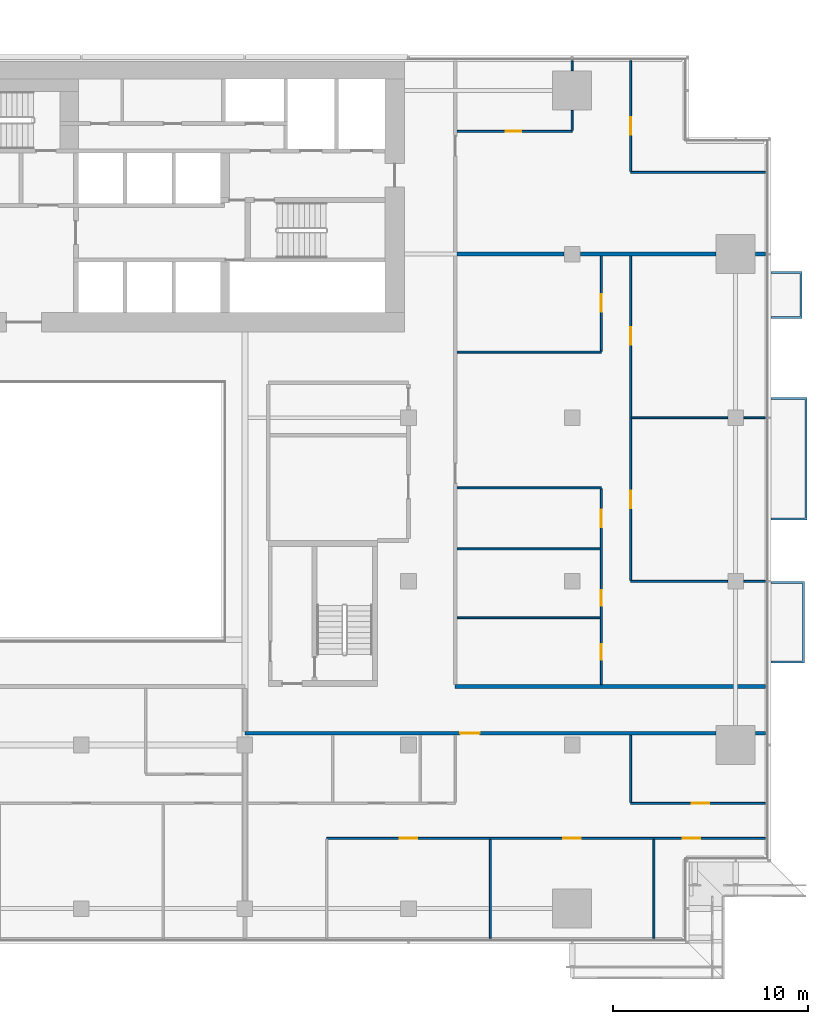
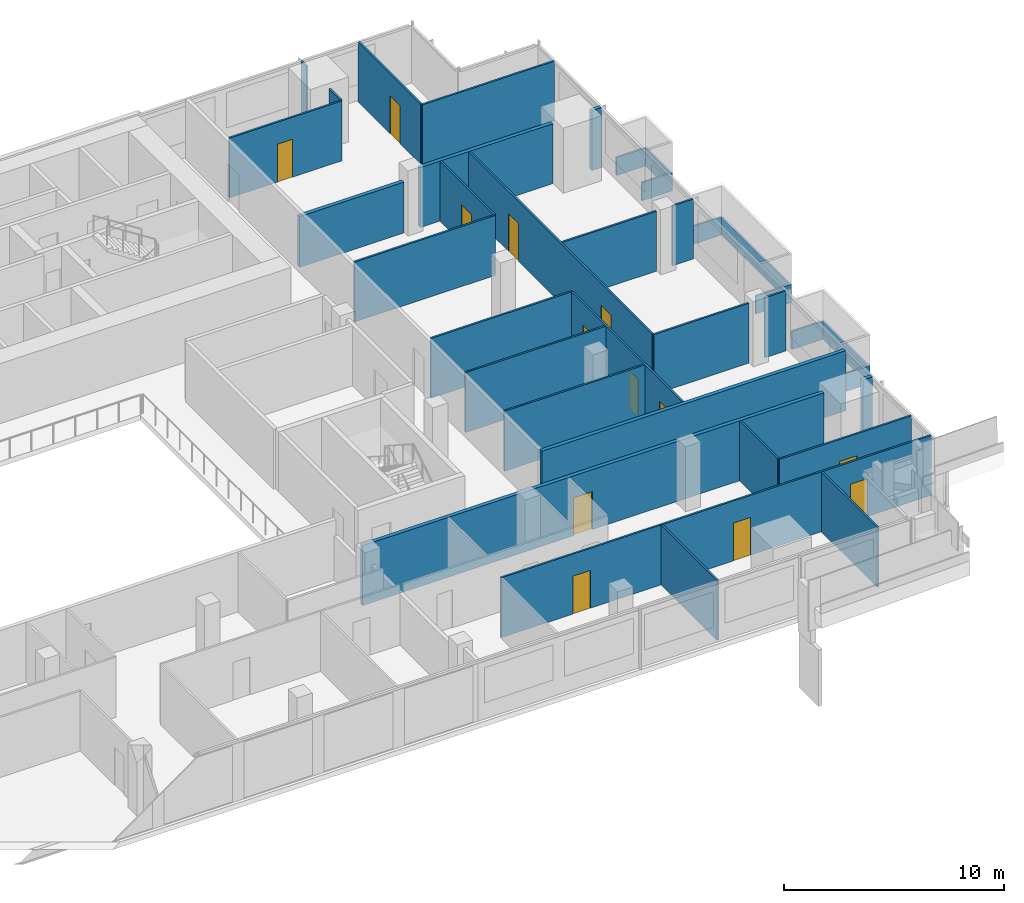
# One storey, part 23 of 29: 30 walls, 13 doors, 13 openings.
"""IFC4 building model written with IfcOpenShell, lengths in metres."""

from ifc_helpers import new_model, si_unit, direction, frame, frame_2d, origin, place, context, subcontext, project, spatial, polyline, rectangle, outline, extrude, material, layer, layer_set, type_object, element, fill, save


model = new_model("IFC4")

# Units and contexts
model_context = context("Model", 3, precision=1e-05, world=origin(), true_north=direction((0.0, 1.0)))
body_context = subcontext(model_context, "Body", "Model", "MODEL_VIEW")
ifc_project = project(units=[si_unit("LENGTHUNIT", "METRE"), si_unit("AREAUNIT", "SQUARE_METRE"), si_unit("VOLUMEUNIT", "CUBIC_METRE"), si_unit("PLANEANGLEUNIT", "RADIAN"), si_unit("MASSUNIT", "GRAM", prefix="KILO")], contexts=[model_context])

# Site, building, storey
site_placement = place(None, origin())
site = spatial("IfcSite", under=ifc_project, at=site_placement, CompositionType="ELEMENT")
building_placement = place(site_placement, origin())
building = spatial("IfcBuilding", under=site, at=building_placement, Name="Saffron Gate Tower", CompositionType="ELEMENT")
storey_placement = place(building_placement, frame((0.0, 0.0, 106.050048828125)))
storey = spatial("IfcBuildingStorey", under=building, at=storey_placement, Name="L24", CompositionType="ELEMENT", Elevation=106.050048828125)

# Wall, openings, doors
ifc_material_1 = material(Name="Plasterboard on steel studs", Category="steel")
ifc_layer_1 = layer(ifc_material_1, 0.10009765625)
ifc_layer_set_1 = layer_set([ifc_layer_1], Name="PW1 Partition 100")
wall_type_1 = type_object("IfcWallType", Name="PW1 Partition 100", PredefinedType="PARTITIONING", material=ifc_layer_set_1)
wall_1_placement = place(storey_placement, frame((126.919921875, 35.39990234375, 0.0), z_axis=(0.0, 0.0, 1.0), x_axis=(-1.0, 0.0, 0.0)))
wall_1 = element("IfcWall", 1, at=wall_1_placement, inside=storey, type_object=wall_type_1, Name="Partition B2-2", PredefinedType="PARTITIONING", context=body_context, shape_type="SweptSolid", body=[
    extrude(rectangle(XDim=22.52001953125, YDim=0.10009765625, at=frame_2d((11.260009765625, 0.0))), origin(), (0.0, 0.0, 1.0), 3.320068359375),
])
opening_1_placement = place(wall_1_placement, frame((3.345703125, 0.0, 0.0)))
opening_1 = element("IfcOpeningElement", 2, at=opening_1_placement, cuts=wall_1, Name="Opening B2-20", PredefinedType="OPENING", context=body_context, shape_type="SweptSolid", body=[
    extrude(rectangle(XDim=0.89990234375, YDim=2.10009765625, at=frame_2d((0.449951171875, 1.050048828125))), frame((0.0, 0.06005859375, 0.0), z_axis=(0.0, -1.0, 0.0), x_axis=(1.0, 0.0, 0.0)), (0.0, 0.0, 1.0), 0.1201171875),
])
opening_2_placement = place(wall_1_placement, frame((9.469970703125, 0.0, 0.0)))
opening_2 = element("IfcOpeningElement", 3, at=opening_2_placement, cuts=wall_1, Name="Opening B2-19", PredefinedType="OPENING", context=body_context, shape_type="SweptSolid", body=[
    extrude(rectangle(XDim=0.89990234375, YDim=2.10009765625, at=frame_2d((0.449951171875, 1.050048828125))), frame((0.0, 0.06005859375, 0.0), z_axis=(0.0, -1.0, 0.0), x_axis=(1.0, 0.0, 0.0)), (0.0, 0.0, 1.0), 0.1201171875),
])
opening_3_placement = place(wall_1_placement, frame((17.8701171875, 0.0, 0.0)))
opening_3 = element("IfcOpeningElement", 4, at=opening_3_placement, cuts=wall_1, Name="Opening B2-18", PredefinedType="OPENING", context=body_context, shape_type="SweptSolid", body=[
    extrude(rectangle(XDim=0.89990234375, YDim=2.10009765625, at=frame_2d((0.449951171875, 1.050048828125))), frame((0.0, 0.06005859375, 0.0), z_axis=(0.0, -1.0, 0.0), x_axis=(1.0, 0.0, 0.0)), (0.0, 0.0, 1.0), 0.1201171875),
])
ifc_material_2 = material(Name="Timber door set", Category="wood")
door_type_1 = type_object("IfcDoorType", Name="RD1 Room door 900x2100", OperationType="NOTDEFINED", PredefinedType="DOOR", material=ifc_material_2)
door_1_placement = place(opening_1_placement, origin())
door_1 = element("IfcDoor", 5, at=door_1_placement, inside=storey, type_object=door_type_1, Name="Door B2-20", OperationType="SINGLE_SWING_RIGHT", OverallHeight=2.10009765625, OverallWidth=0.89990234375, PredefinedType="DOOR", context=body_context, shape_type="SweptSolid", body=[
    extrude(rectangle(XDim=0.89990234375, YDim=2.10009765625, at=frame_2d((0.449951171875, 1.050048828125))), frame((0.0, 0.02490234375, 0.0), z_axis=(0.0, -1.0, 0.0), x_axis=(1.0, 0.0, 0.0)), (0.0, 0.0, 1.0), 0.050048828125),
])
fill(opening_1, door_1)
door_2_placement = place(opening_2_placement, origin())
door_2 = element("IfcDoor", 6, at=door_2_placement, inside=storey, type_object=door_type_1, Name="Door B2-19", OperationType="SINGLE_SWING_RIGHT", OverallHeight=2.10009765625, OverallWidth=0.89990234375, PredefinedType="DOOR", context=body_context, shape_type="SweptSolid", body=[
    extrude(rectangle(XDim=0.89990234375, YDim=2.10009765625, at=frame_2d((0.449951171875, 1.050048828125))), frame((0.0, 0.02490234375, 0.0), z_axis=(0.0, -1.0, 0.0), x_axis=(1.0, 0.0, 0.0)), (0.0, 0.0, 1.0), 0.050048828125),
])
fill(opening_2, door_2)
door_3_placement = place(opening_3_placement, origin())
door_3 = element("IfcDoor", 7, at=door_3_placement, inside=storey, type_object=door_type_1, Name="Door B2-18", OperationType="SINGLE_SWING_RIGHT", OverallHeight=2.10009765625, OverallWidth=0.89990234375, PredefinedType="DOOR", context=body_context, shape_type="SweptSolid", body=[
    extrude(rectangle(XDim=0.89990234375, YDim=2.10009765625, at=frame_2d((0.449951171875, 1.050048828125))), frame((0.0, 0.02490234375, 0.0), z_axis=(0.0, -1.0, 0.0), x_axis=(1.0, 0.0, 0.0)), (0.0, 0.0, 1.0), 0.050048828125),
])
fill(opening_3, door_3)

# Wall, opening, door
wall_2_placement = place(storey_placement, frame((120.0, 37.199951171875, 0.0), z_axis=(0.0, 0.0, 1.0), x_axis=(1.0, 0.0, 0.0)))
wall_2 = element("IfcWall", 8, at=wall_2_placement, inside=storey, type_object=wall_type_1, Name="Partition B2-6", PredefinedType="PARTITIONING", context=body_context, shape_type="SweptSolid", body=[
    extrude(rectangle(XDim=6.919921875, YDim=0.10009765625, at=frame_2d((3.4599609375, 0.0))), origin(), (0.0, 0.0, 1.0), 3.320068359375),
])
opening_4_placement = place(wall_2_placement, frame((3.14990234375, 0.0, 0.0)))
opening_4 = element("IfcOpeningElement", 9, at=opening_4_placement, cuts=wall_2, Name="Opening B2-21", PredefinedType="OPENING", context=body_context, shape_type="SweptSolid", body=[
    extrude(rectangle(XDim=0.89990234375, YDim=2.10009765625, at=frame_2d((0.449951171875, 1.050048828125))), frame((0.0, 0.06005859375, 0.0), z_axis=(0.0, -1.0, 0.0), x_axis=(1.0, 0.0, 0.0)), (0.0, 0.0, 1.0), 0.1201171875),
])
door_4_placement = place(opening_4_placement, origin())
door_4 = element("IfcDoor", 10, at=door_4_placement, inside=storey, type_object=door_type_1, Name="Door B2-21", OperationType="SINGLE_SWING_RIGHT", OverallHeight=2.10009765625, OverallWidth=0.89990234375, PredefinedType="DOOR", context=body_context, shape_type="SweptSolid", body=[
    extrude(rectangle(XDim=0.89990234375, YDim=2.10009765625, at=frame_2d((0.449951171875, 1.050048828125))), frame((0.0, 0.02490234375, 0.0), z_axis=(0.0, -1.0, 0.0), x_axis=(1.0, 0.0, 0.0)), (0.0, 0.0, 1.0), 0.050048828125),
])
fill(opening_4, door_4)

# Walls
wall_3_placement = place(storey_placement, frame((111.10009765625, 46.7333984375, 0.0), z_axis=(0.0, 0.0, 1.0), x_axis=(1.0, 0.0, 0.0)))
element("IfcWall", 11, at=wall_3_placement, inside=storey, type_object=wall_type_1, Name="Partition B2-17", PredefinedType="PARTITIONING", context=body_context, shape_type="SweptSolid", body=[
    extrude(rectangle(XDim=7.349853515625, YDim=0.10009765625, at=frame_2d((3.6748046875, 0.0))), origin(), (0.0, 0.0, 1.0), 3.320068359375),
])
wall_4_placement = place(storey_placement, frame((120.0, 48.60009765625, 0.0), z_axis=(0.0, 0.0, 1.0), x_axis=(1.0, 0.0, 0.0)))
element("IfcWall", 12, at=wall_4_placement, inside=storey, type_object=wall_type_1, Name="Partition B2-21", PredefinedType="PARTITIONING", context=body_context, shape_type="SweptSolid", body=[
    extrude(rectangle(XDim=4.97998046875, YDim=0.10009765625, at=frame_2d((2.489990234375, 0.0))), origin(), (0.0, 0.0, 1.0), 3.320068359375),
])
wall_5_placement = place(storey_placement, frame((125.820068359375, 48.60009765625, 0.0), z_axis=(0.0, 0.0, 1.0), x_axis=(1.0, 0.0, 0.0)))
element("IfcWall", 13, at=wall_5_placement, inside=storey, type_object=wall_type_1, Name="Partition B2-22", PredefinedType="PARTITIONING", context=body_context, shape_type="SweptSolid", body=[
    extrude(rectangle(XDim=1.099853515625, YDim=0.10009765625, at=frame_2d((0.5498046875, 0.0))), origin(), (0.0, 0.0, 1.0), 3.320068359375),
])
wall_6_placement = place(storey_placement, frame((111.10009765625, 50.2666015625, 0.0), z_axis=(0.0, 0.0, 1.0), x_axis=(1.0, 0.0, 0.0)))
element("IfcWall", 14, at=wall_6_placement, inside=storey, type_object=wall_type_1, Name="Partition B2-23", PredefinedType="PARTITIONING", context=body_context, shape_type="SweptSolid", body=[
    extrude(rectangle(XDim=7.349853515625, YDim=0.10009765625, at=frame_2d((3.6748046875, 0.0))), origin(), (0.0, 0.0, 1.0), 3.320068359375),
])
wall_7_placement = place(storey_placement, frame((111.10009765625, 53.39990234375, 0.0), z_axis=(0.0, 0.0, 1.0), x_axis=(1.0, 0.0, 0.0)))
element("IfcWall", 15, at=wall_7_placement, inside=storey, type_object=wall_type_1, Name="Partition B2-26", PredefinedType="PARTITIONING", context=body_context, shape_type="SweptSolid", body=[
    extrude(rectangle(XDim=7.39990234375, YDim=0.10009765625, at=frame_2d((3.699951171875, 0.0))), origin(), (0.0, 0.0, 1.0), 3.320068359375),
])
wall_8_placement = place(storey_placement, frame((120.050048828125, 57.0, 0.0), z_axis=(0.0, 0.0, 1.0), x_axis=(1.0, 0.0, 0.0)))
element("IfcWall", 16, at=wall_8_placement, inside=storey, type_object=wall_type_1, Name="Partition B2-32", PredefinedType="PARTITIONING", context=body_context, shape_type="SweptSolid", body=[
    extrude(rectangle(XDim=4.929931640625, YDim=0.10009765625, at=frame_2d((2.46484375, 0.0))), origin(), (0.0, 0.0, 1.0), 3.320068359375),
])
wall_9_placement = place(storey_placement, frame((125.820068359375, 57.0, 0.0), z_axis=(0.0, 0.0, 1.0), x_axis=(1.0, 0.0, 0.0)))
element("IfcWall", 17, at=wall_9_placement, inside=storey, type_object=wall_type_1, Name="Partition B2-33", PredefinedType="PARTITIONING", context=body_context, shape_type="SweptSolid", body=[
    extrude(rectangle(XDim=1.099853515625, YDim=0.10009765625, at=frame_2d((0.5498046875, 0.0))), origin(), (0.0, 0.0, 1.0), 3.320068359375),
])
wall_10_placement = place(storey_placement, frame((111.10009765625, 60.36669921875, 0.0), z_axis=(0.0, 0.0, 1.0), x_axis=(1.0, 0.0, 0.0)))
element("IfcWall", 18, at=wall_10_placement, inside=storey, type_object=wall_type_1, Name="Partition B2-37", PredefinedType="PARTITIONING", context=body_context, shape_type="SweptSolid", body=[
    extrude(rectangle(XDim=7.39990234375, YDim=0.10009765625, at=frame_2d((3.699951171875, 0.0))), origin(), (0.0, 0.0, 1.0), 3.320068359375),
])
wall_11_placement = place(storey_placement, frame((120.0, 69.60009765625, 0.0), z_axis=(0.0, 0.0, 1.0), x_axis=(1.0, 0.0, 0.0)))
element("IfcWall", 19, at=wall_11_placement, inside=storey, type_object=wall_type_1, Name="Partition B2-47", PredefinedType="PARTITIONING", context=body_context, shape_type="SweptSolid", body=[
    extrude(rectangle(XDim=6.919921875, YDim=0.10009765625, at=frame_2d((3.4599609375, 0.0))), origin(), (0.0, 0.0, 1.0), 3.320068359375),
])

# Wall, opening, door
wall_12_placement = place(storey_placement, frame((111.10009765625, 71.699951171875, 0.0), z_axis=(0.0, 0.0, 1.0), x_axis=(1.0, 0.0, 0.0)))
wall_12 = element("IfcWall", 20, at=wall_12_placement, inside=storey, type_object=wall_type_1, Name="Partition B2-48", PredefinedType="PARTITIONING", context=body_context, shape_type="SweptSolid", body=[
    extrude(rectangle(XDim=5.89990234375, YDim=0.10009765625, at=frame_2d((2.949951171875, 0.0))), origin(), (0.0, 0.0, 1.0), 3.320068359375),
])
opening_5_placement = place(wall_12_placement, frame((2.5, 0.0, 0.0)))
opening_5 = element("IfcOpeningElement", 21, at=opening_5_placement, cuts=wall_12, Name="Opening B2-47", PredefinedType="OPENING", context=body_context, shape_type="SweptSolid", body=[
    extrude(rectangle(XDim=0.800048828125, YDim=2.10009765625, at=frame_2d((0.39990234375, 1.050048828125))), frame((0.0, 0.06005859375, 0.0), z_axis=(0.0, -1.0, 0.0), x_axis=(1.0, 0.0, 0.0)), (0.0, 0.0, 1.0), 0.1201171875),
])
door_type_2 = type_object("IfcDoorType", Name="RD2 Bathroom door 800x2100", OperationType="NOTDEFINED", PredefinedType="DOOR", material=ifc_material_2)
door_5_placement = place(opening_5_placement, origin())
door_5 = element("IfcDoor", 22, at=door_5_placement, inside=storey, type_object=door_type_2, Name="Door B2-47", OperationType="SINGLE_SWING_LEFT", OverallHeight=2.10009765625, OverallWidth=0.800048828125, PredefinedType="DOOR", context=body_context, shape_type="SweptSolid", body=[
    extrude(rectangle(XDim=0.800048828125, YDim=2.10009765625, at=frame_2d((0.39990234375, 1.050048828125))), frame((0.0, 0.02490234375, 0.0), z_axis=(0.0, -1.0, 0.0), x_axis=(1.0, 0.0, 0.0)), (0.0, 0.0, 1.0), 0.050048828125),
])
fill(opening_5, door_5)

# Walls
wall_13_placement = place(storey_placement, frame((112.800048828125, 35.35009765625, 0.0), z_axis=(0.0, 0.0, 1.0), x_axis=(0.0, -1.0, 0.0)))
element("IfcWall", 23, at=wall_13_placement, inside=storey, type_object=wall_type_1, Name="Partition B2-91", PredefinedType="PARTITIONING", context=body_context, shape_type="SweptSolid", body=[
    extrude(rectangle(XDim=5.070068359375, YDim=0.10009765625, at=frame_2d((2.53515625, 0.0))), origin(), (0.0, 0.0, 1.0), 3.320068359375),
])
wall_14_placement = place(storey_placement, frame((117.0, 72.780029296875, 0.0), z_axis=(0.0, 0.0, 1.0), x_axis=(0.0, -1.0, 0.0)))
element("IfcWall", 24, at=wall_14_placement, inside=storey, type_object=wall_type_1, Name="Partition B2-92", PredefinedType="PARTITIONING", context=body_context, shape_type="SweptSolid", body=[
    extrude(rectangle(XDim=1.030029296875, YDim=0.10009765625, at=frame_2d((0.51513671875, 0.0))), origin(), (0.0, 0.0, 1.0), 3.320068359375),
])
wall_15_placement = place(storey_placement, frame((117.0, 75.320068359375, 0.0), z_axis=(0.0, 0.0, 1.0), x_axis=(0.0, -1.0, 0.0)))
element("IfcWall", 25, at=wall_15_placement, inside=storey, type_object=wall_type_1, Name="Partition B2-93", PredefinedType="PARTITIONING", context=body_context, shape_type="SweptSolid", body=[
    extrude(rectangle(XDim=0.5, YDim=0.10009765625, at=frame_2d((0.25, 0.0))), origin(), (0.0, 0.0, 1.0), 3.320068359375),
])

# Wall, openings, doors
wall_16_placement = place(storey_placement, frame((118.5, 43.300048828125, 0.0), z_axis=(0.0, 0.0, 1.0), x_axis=(0.0, 1.0, 0.0)))
wall_16 = element("IfcWall", 26, at=wall_16_placement, inside=storey, type_object=wall_type_1, Name="Partition B2-94", PredefinedType="PARTITIONING", context=body_context, shape_type="SweptSolid", body=[
    extrude(rectangle(XDim=10.050048828125, YDim=0.10009765625, at=frame_2d((5.02490234375, 0.0))), origin(), (0.0, 0.0, 1.0), 3.320068359375),
])
opening_6_placement = place(wall_16_placement, frame((1.2666015625, 0.0, 0.0)))
opening_6 = element("IfcOpeningElement", 27, at=opening_6_placement, cuts=wall_16, Name="Opening B2-45", PredefinedType="OPENING", context=body_context, shape_type="SweptSolid", body=[
    extrude(rectangle(XDim=0.800048828125, YDim=2.10009765625, at=frame_2d((0.39990234375, 1.050048828125))), frame((0.0, 0.06005859375, 0.0), z_axis=(0.0, -1.0, 0.0), x_axis=(1.0, 0.0, 0.0)), (0.0, 0.0, 1.0), 0.1201171875),
])
opening_7_placement = place(wall_16_placement, frame((4.050048828125, 0.0, 0.0)))
opening_7 = element("IfcOpeningElement", 28, at=opening_7_placement, cuts=wall_16, Name="Opening B2-46", PredefinedType="OPENING", context=body_context, shape_type="SweptSolid", body=[
    extrude(rectangle(XDim=0.800048828125, YDim=2.10009765625, at=frame_2d((0.39990234375, 1.050048828125))), frame((0.0, 0.06005859375, 0.0), z_axis=(0.0, -1.0, 0.0), x_axis=(1.0, 0.0, 0.0)), (0.0, 0.0, 1.0), 0.1201171875),
])
opening_8_placement = place(wall_16_placement, frame((8.083251953125, 0.0, 0.0)))
opening_8 = element("IfcOpeningElement", 29, at=opening_8_placement, cuts=wall_16, Name="Opening B2-33", PredefinedType="OPENING", context=body_context, shape_type="SweptSolid", body=[
    extrude(rectangle(XDim=0.89990234375, YDim=2.10009765625, at=frame_2d((0.449951171875, 1.050048828125))), frame((0.0, 0.06005859375, 0.0), z_axis=(0.0, -1.0, 0.0), x_axis=(1.0, 0.0, 0.0)), (0.0, 0.0, 1.0), 0.1201171875),
])
door_6_placement = place(opening_8_placement, origin())
door_6 = element("IfcDoor", 30, at=door_6_placement, inside=storey, type_object=door_type_1, Name="Door B2-33", OperationType="SINGLE_SWING_RIGHT", OverallHeight=2.10009765625, OverallWidth=0.89990234375, PredefinedType="DOOR", context=body_context, shape_type="SweptSolid", body=[
    extrude(rectangle(XDim=0.89990234375, YDim=2.10009765625, at=frame_2d((0.449951171875, 1.050048828125))), frame((0.0, 0.02490234375, 0.0), z_axis=(0.0, -1.0, 0.0), x_axis=(1.0, 0.0, 0.0)), (0.0, 0.0, 1.0), 0.050048828125),
])
fill(opening_8, door_6)
door_7_placement = place(opening_6_placement, origin())
door_7 = element("IfcDoor", 31, at=door_7_placement, inside=storey, type_object=door_type_2, Name="Door B2-45", OperationType="SINGLE_SWING_LEFT", OverallHeight=2.10009765625, OverallWidth=0.800048828125, PredefinedType="DOOR", context=body_context, shape_type="SweptSolid", body=[
    extrude(rectangle(XDim=0.800048828125, YDim=2.10009765625, at=frame_2d((0.39990234375, 1.050048828125))), frame((0.0, 0.02490234375, 0.0), z_axis=(0.0, -1.0, 0.0), x_axis=(1.0, 0.0, 0.0)), (0.0, 0.0, 1.0), 0.050048828125),
])
fill(opening_6, door_7)
door_8_placement = place(opening_7_placement, origin())
door_8 = element("IfcDoor", 32, at=door_8_placement, inside=storey, type_object=door_type_2, Name="Door B2-46", OperationType="SINGLE_SWING_LEFT", OverallHeight=2.10009765625, OverallWidth=0.800048828125, PredefinedType="DOOR", context=body_context, shape_type="SweptSolid", body=[
    extrude(rectangle(XDim=0.800048828125, YDim=2.10009765625, at=frame_2d((0.39990234375, 1.050048828125))), frame((0.0, 0.02490234375, 0.0), z_axis=(0.0, -1.0, 0.0), x_axis=(1.0, 0.0, 0.0)), (0.0, 0.0, 1.0), 0.050048828125),
])
fill(opening_7, door_8)

# Wall, opening, door
wall_17_placement = place(storey_placement, frame((118.5, 60.416748046875, 0.0), z_axis=(0.0, 0.0, 1.0), x_axis=(0.0, 1.0, 0.0)))
wall_17 = element("IfcWall", 33, at=wall_17_placement, inside=storey, type_object=wall_type_1, Name="Partition B2-95", PredefinedType="PARTITIONING", context=body_context, shape_type="SweptSolid", body=[
    extrude(rectangle(XDim=4.88330078125, YDim=0.10009765625, at=frame_2d((2.441650390625, 0.0))), origin(), (0.0, 0.0, 1.0), 3.320068359375),
])
opening_9_placement = place(wall_17_placement, frame((2.0166015625, 0.0, 0.0)))
opening_9 = element("IfcOpeningElement", 34, at=opening_9_placement, cuts=wall_17, Name="Opening B2-32", PredefinedType="OPENING", context=body_context, shape_type="SweptSolid", body=[
    extrude(rectangle(XDim=0.89990234375, YDim=2.10009765625, at=frame_2d((0.449951171875, 1.050048828125))), frame((0.0, 0.06005859375, 0.0), z_axis=(0.0, -1.0, 0.0), x_axis=(1.0, 0.0, 0.0)), (0.0, 0.0, 1.0), 0.1201171875),
])
door_9_placement = place(opening_9_placement, origin())
door_9 = element("IfcDoor", 35, at=door_9_placement, inside=storey, type_object=door_type_1, Name="Door B2-32", OperationType="SINGLE_SWING_RIGHT", OverallHeight=2.10009765625, OverallWidth=0.89990234375, PredefinedType="DOOR", context=body_context, shape_type="SweptSolid", body=[
    extrude(rectangle(XDim=0.89990234375, YDim=2.10009765625, at=frame_2d((0.449951171875, 1.050048828125))), frame((0.0, 0.02490234375, 0.0), z_axis=(0.0, -1.0, 0.0), x_axis=(1.0, 0.0, 0.0)), (0.0, 0.0, 1.0), 0.050048828125),
])
fill(opening_9, door_9)

# Wall
wall_18_placement = place(storey_placement, frame((120.0, 40.699951171875, 0.0), z_axis=(0.0, 0.0, 1.0), x_axis=(0.0, -1.0, 0.0)))
element("IfcWall", 36, at=wall_18_placement, inside=storey, type_object=wall_type_1, Name="Partition B2-96", PredefinedType="PARTITIONING", context=body_context, shape_type="SweptSolid", body=[
    extrude(rectangle(XDim=3.449951171875, YDim=0.10009765625, at=frame_2d((1.72509765625, 0.0))), origin(), (0.0, 0.0, 1.0), 3.320068359375),
])

# Wall, openings, doors
wall_19_placement = place(storey_placement, frame((120.0, 65.300048828125, 0.0), z_axis=(0.0, 0.0, 1.0), x_axis=(0.0, -1.0, 0.0)))
wall_19 = element("IfcWall", 37, at=wall_19_placement, inside=storey, type_object=wall_type_1, Name="Partition B2-97", PredefinedType="PARTITIONING", context=body_context, shape_type="SweptSolid", body=[
    extrude(rectangle(XDim=16.650146484375, YDim=0.10009765625, at=frame_2d((8.3251953125, 0.0))), origin(), (0.0, 0.0, 1.0), 3.320068359375),
])
opening_10_placement = place(wall_19_placement, frame((3.64990234375, 0.0, 0.0)))
opening_10 = element("IfcOpeningElement", 38, at=opening_10_placement, cuts=wall_19, Name="Opening B2-31", PredefinedType="OPENING", context=body_context, shape_type="SweptSolid", body=[
    extrude(rectangle(XDim=0.89990234375, YDim=2.10009765625, at=frame_2d((0.449951171875, 1.050048828125))), frame((0.0, 0.06005859375, 0.0), z_axis=(0.0, -1.0, 0.0), x_axis=(1.0, 0.0, 0.0)), (0.0, 0.0, 1.0), 0.1201171875),
])
opening_11_placement = place(wall_19_placement, frame((12.050048828125, 0.0, 0.0)))
opening_11 = element("IfcOpeningElement", 39, at=opening_11_placement, cuts=wall_19, Name="Opening B2-30", PredefinedType="OPENING", context=body_context, shape_type="SweptSolid", body=[
    extrude(rectangle(XDim=0.89990234375, YDim=2.10009765625, at=frame_2d((0.449951171875, 1.050048828125))), frame((0.0, 0.06005859375, 0.0), z_axis=(0.0, -1.0, 0.0), x_axis=(1.0, 0.0, 0.0)), (0.0, 0.0, 1.0), 0.1201171875),
])
door_10_placement = place(opening_10_placement, origin())
door_10 = element("IfcDoor", 40, at=door_10_placement, inside=storey, type_object=door_type_1, Name="Door B2-31", OperationType="SINGLE_SWING_LEFT", OverallHeight=2.10009765625, OverallWidth=0.89990234375, PredefinedType="DOOR", context=body_context, shape_type="SweptSolid", body=[
    extrude(rectangle(XDim=0.89990234375, YDim=2.10009765625, at=frame_2d((0.449951171875, 1.050048828125))), frame((0.0, 0.02490234375, 0.0), z_axis=(0.0, -1.0, 0.0), x_axis=(1.0, 0.0, 0.0)), (0.0, 0.0, 1.0), 0.050048828125),
])
fill(opening_10, door_10)
door_11_placement = place(opening_11_placement, origin())
door_11 = element("IfcDoor", 41, at=door_11_placement, inside=storey, type_object=door_type_1, Name="Door B2-30", OperationType="SINGLE_SWING_RIGHT", OverallHeight=2.10009765625, OverallWidth=0.89990234375, PredefinedType="DOOR", context=body_context, shape_type="SweptSolid", body=[
    extrude(rectangle(XDim=0.89990234375, YDim=2.10009765625, at=frame_2d((0.449951171875, 1.050048828125))), frame((0.0, 0.02490234375, 0.0), z_axis=(0.0, -1.0, 0.0), x_axis=(1.0, 0.0, 0.0)), (0.0, 0.0, 1.0), 0.050048828125),
])
fill(opening_11, door_11)

# Wall, opening, door
wall_20_placement = place(storey_placement, frame((120.0, 75.320068359375, 0.0), z_axis=(0.0, 0.0, 1.0), x_axis=(0.0, -1.0, 0.0)))
wall_20 = element("IfcWall", 42, at=wall_20_placement, inside=storey, type_object=wall_type_1, Name="Partition B2-98", PredefinedType="PARTITIONING", context=body_context, shape_type="SweptSolid", body=[
    extrude(rectangle(XDim=5.670166015625, YDim=0.10009765625, at=frame_2d((2.8349609375, 0.0))), origin(), (0.0, 0.0, 1.0), 3.320068359375),
])
opening_12_placement = place(wall_20_placement, frame((2.89111328125, 0.0, 0.0)))
opening_12 = element("IfcOpeningElement", 43, at=opening_12_placement, cuts=wall_20, Name="Opening B2-34", PredefinedType="OPENING", context=body_context, shape_type="SweptSolid", body=[
    extrude(rectangle(XDim=0.89990234375, YDim=2.10009765625, at=frame_2d((0.449951171875, 1.050048828125))), frame((0.0, 0.06005859375, 0.0), z_axis=(0.0, -1.0, 0.0), x_axis=(1.0, 0.0, 0.0)), (0.0, 0.0, 1.0), 0.1201171875),
])
door_12_placement = place(opening_12_placement, origin())
door_12 = element("IfcDoor", 44, at=door_12_placement, inside=storey, type_object=door_type_1, Name="Door B2-34", OperationType="SINGLE_SWING_RIGHT", OverallHeight=2.10009765625, OverallWidth=0.89990234375, PredefinedType="DOOR", context=body_context, shape_type="SweptSolid", body=[
    extrude(rectangle(XDim=0.89990234375, YDim=2.10009765625, at=frame_2d((0.449951171875, 1.050048828125))), frame((0.0, 0.02490234375, 0.0), z_axis=(0.0, -1.0, 0.0), x_axis=(1.0, 0.0, 0.0)), (0.0, 0.0, 1.0), 0.050048828125),
])
fill(opening_12, door_12)

# Walls
wall_21_placement = place(storey_placement, frame((121.199951171875, 35.35009765625, 0.0), z_axis=(0.0, 0.0, 1.0), x_axis=(0.0, -1.0, 0.0)))
element("IfcWall", 45, at=wall_21_placement, inside=storey, type_object=wall_type_1, Name="Partition B2-99", PredefinedType="PARTITIONING", context=body_context, shape_type="SweptSolid", body=[
    extrude(rectangle(XDim=5.070068359375, YDim=0.10009765625, at=frame_2d((2.53515625, 0.0))), origin(), (0.0, 0.0, 1.0), 3.320068359375),
])
ifc_material_3 = material(Name="Clay brick masonry, rendered", Category="masonry")
ifc_layer_2 = layer(ifc_material_3, 0.199951171875)
ifc_layer_set_2 = layer_set([ifc_layer_2], Name="PW2 Demising wall 200")
wall_type_2 = type_object("IfcWallType", Name="PW2 Demising wall 200", PredefinedType="PARTITIONING", material=ifc_layer_set_2)
wall_22_placement = place(storey_placement, frame((111.10009765625, 65.39990234375, 0.0), z_axis=(0.0, 0.0, 1.0), x_axis=(1.0, 0.0, 0.0)))
element("IfcWall", 46, at=wall_22_placement, inside=storey, type_object=wall_type_2, Name="Wall B2-40", PredefinedType="PARTITIONING", context=body_context, shape_type="SweptSolid", body=[
    extrude(rectangle(XDim=5.47998046875, YDim=0.199951171875, at=frame_2d((2.739990234375, 0.0))), origin(), (0.0, 0.0, 1.0), 2.820068359375),
])
wall_23_placement = place(storey_placement, frame((117.419921875, 65.39990234375, 0.0), z_axis=(0.0, 0.0, 1.0), x_axis=(1.0, 0.0, 0.0)))
element("IfcWall", 47, at=wall_23_placement, inside=storey, type_object=wall_type_2, Name="Wall B2-41", PredefinedType="PARTITIONING", context=body_context, shape_type="SweptSolid", body=[
    extrude(rectangle(XDim=6.9599609375, YDim=0.199951171875, at=frame_2d((3.47998046875, 0.0))), origin(), (0.0, 0.0, 1.0), 3.320068359375),
])
wall_24_placement = place(storey_placement, frame((126.419921875, 65.39990234375, 0.0), z_axis=(0.0, 0.0, 1.0), x_axis=(1.0, 0.0, 0.0)))
element("IfcWall", 48, at=wall_24_placement, inside=storey, type_object=wall_type_2, Name="Wall B2-42", PredefinedType="PARTITIONING", context=body_context, shape_type="SweptSolid", body=[
    extrude(rectangle(XDim=0.5, YDim=0.199951171875, at=frame_2d((0.25, 0.0))), origin(), (0.0, 0.0, 1.0), 3.320068359375),
])

# Wall, opening, door
ifc_layer_3 = layer(ifc_material_3, 0.199951171875)
ifc_layer_set_3 = layer_set([ifc_layer_3], Name="PW3 Corridor wall 200")
wall_type_3 = type_object("IfcWallType", Name="PW3 Corridor wall 200", PredefinedType="PARTITIONING", material=ifc_layer_set_3)
wall_25_placement = place(storey_placement, frame((124.3798828125, 40.800048828125, 0.0), z_axis=(0.0, 0.0, 1.0), x_axis=(-1.0, 0.0, 0.0)))
wall_25 = element("IfcWall", 49, at=wall_25_placement, inside=storey, type_object=wall_type_3, Name="Wall B2-11", PredefinedType="PARTITIONING", context=body_context, shape_type="SweptSolid", body=[
    extrude(rectangle(XDim=24.179931640625, YDim=0.199951171875, at=frame_2d((12.08984375, 0.0))), origin(), (0.0, 0.0, 1.0), 3.320068359375),
])
opening_13_placement = place(wall_25_placement, frame((12.1298828125, 0.0, 0.0)))
opening_13 = element("IfcOpeningElement", 50, at=opening_13_placement, cuts=wall_25, Name="Opening B2-3", PredefinedType="OPENING", context=body_context, shape_type="SweptSolid", body=[
    extrude(rectangle(XDim=1.0, YDim=2.10009765625, at=frame_2d((0.5, 1.050048828125))), frame((0.0, 0.10986328125, 0.0), z_axis=(0.0, -1.0, 0.0), x_axis=(1.0, 0.0, 0.0)), (0.0, 0.0, 1.0), 0.219970703125),
])
ifc_material_4 = material(Name="Timber fire door set", Category="wood")
door_type_3 = type_object("IfcDoorType", Name="FD1 Flat entry door 1000x2100", OperationType="NOTDEFINED", PredefinedType="DOOR", material=ifc_material_4)
door_13_placement = place(opening_13_placement, origin())
door_13 = element("IfcDoor", 51, at=door_13_placement, inside=storey, type_object=door_type_3, Name="Door B2-3", OperationType="SINGLE_SWING_RIGHT", OverallHeight=2.10009765625, OverallWidth=1.0, PredefinedType="DOOR", context=body_context, shape_type="SweptSolid", body=[
    extrude(rectangle(XDim=1.0, YDim=2.10009765625, at=frame_2d((0.5, 1.050048828125))), frame((0.0, 0.02490234375, 0.0), z_axis=(0.0, -1.0, 0.0), x_axis=(1.0, 0.0, 0.0)), (0.0, 0.0, 1.0), 0.050048828125),
])
fill(opening_13, door_13)

# Walls
wall_26_placement = place(storey_placement, frame((126.419921875, 40.800048828125, 0.0), z_axis=(0.0, 0.0, 1.0), x_axis=(1.0, 0.0, 0.0)))
element("IfcWall", 52, at=wall_26_placement, inside=storey, type_object=wall_type_3, Name="Wall B2-12", PredefinedType="PARTITIONING", context=body_context, shape_type="SweptSolid", body=[
    extrude(rectangle(XDim=0.5, YDim=0.199951171875, at=frame_2d((0.25, 0.0))), origin(), (0.0, 0.0, 1.0), 3.320068359375),
])
wall_27_placement = place(storey_placement, frame((111.0, 43.199951171875, 0.0), z_axis=(0.0, 0.0, 1.0), x_axis=(1.0, 0.0, 0.0)))
element("IfcWall", 53, at=wall_27_placement, inside=storey, type_object=wall_type_3, Name="Wall B2-15", PredefinedType="PARTITIONING", context=body_context, shape_type="SweptSolid", body=[
    extrude(rectangle(XDim=15.919921875, YDim=0.199951171875, at=frame_2d((7.9599609375, 0.0))), origin(), (0.0, 0.0, 1.0), 3.320068359375),
])
ifc_material_5 = material(Name="Rendered insulated panel, white")
ifc_layer_4 = layer(ifc_material_5, 0.10009765625)
ifc_layer_set_4 = layer_set([ifc_layer_4], Name="WB3 box parapet white")
wall_type_4 = type_object("IfcWallType", Name="WB3 box parapet white", PredefinedType="SOLIDWALL", material=ifc_layer_set_4)
wall_28_placement = place(storey_placement, origin())
element("IfcWall", 54, at=wall_28_placement, inside=storey, type_object=wall_type_4, Name="WINDOW BOX parapet", PredefinedType="SOLIDWALL", context=body_context, shape_type="SweptSolid", body=[
    extrude(outline(polyline([(127.199951171875, 44.39990234375), (127.199951171875, 44.5), (128.8330078125, 44.5), (128.8330078125, 48.5), (127.199951171875, 48.5), (127.199951171875, 48.60009765625), (128.93310546875, 48.60009765625), (128.93310546875, 44.39990234375), (127.199951171875, 44.39990234375)])), origin(), (0.0, 0.0, 1.0), 1.0),
])
wall_29_placement = place(storey_placement, origin())
element("IfcWall", 55, at=wall_29_placement, inside=storey, type_object=wall_type_4, Name="WINDOW BOX parapet", PredefinedType="SOLIDWALL", context=body_context, shape_type="SweptSolid", body=[
    extrude(outline(polyline([(127.199951171875, 51.75), (127.199951171875, 51.85009765625), (128.967041015625, 51.85009765625), (128.967041015625, 57.949951171875), (127.199951171875, 57.949951171875), (127.199951171875, 58.050048828125), (129.06689453125, 58.050048828125), (129.06689453125, 51.75), (127.199951171875, 51.75)])), origin(), (0.0, 0.0, 1.0), 1.0),
])
wall_30_placement = place(storey_placement, origin())
element("IfcWall", 56, at=wall_30_placement, inside=storey, type_object=wall_type_4, Name="WINDOW BOX parapet", PredefinedType="SOLIDWALL", context=body_context, shape_type="SweptSolid", body=[
    extrude(outline(polyline([(127.199951171875, 62.10009765625), (127.199951171875, 62.199951171875), (128.699951171875, 62.199951171875), (128.699951171875, 64.39990234375), (127.199951171875, 64.39990234375), (127.199951171875, 64.5), (128.800048828125, 64.5), (128.800048828125, 62.10009765625), (127.199951171875, 62.10009765625)])), origin(), (0.0, 0.0, 1.0), 1.0),
])

save(model, "model.ifc")
